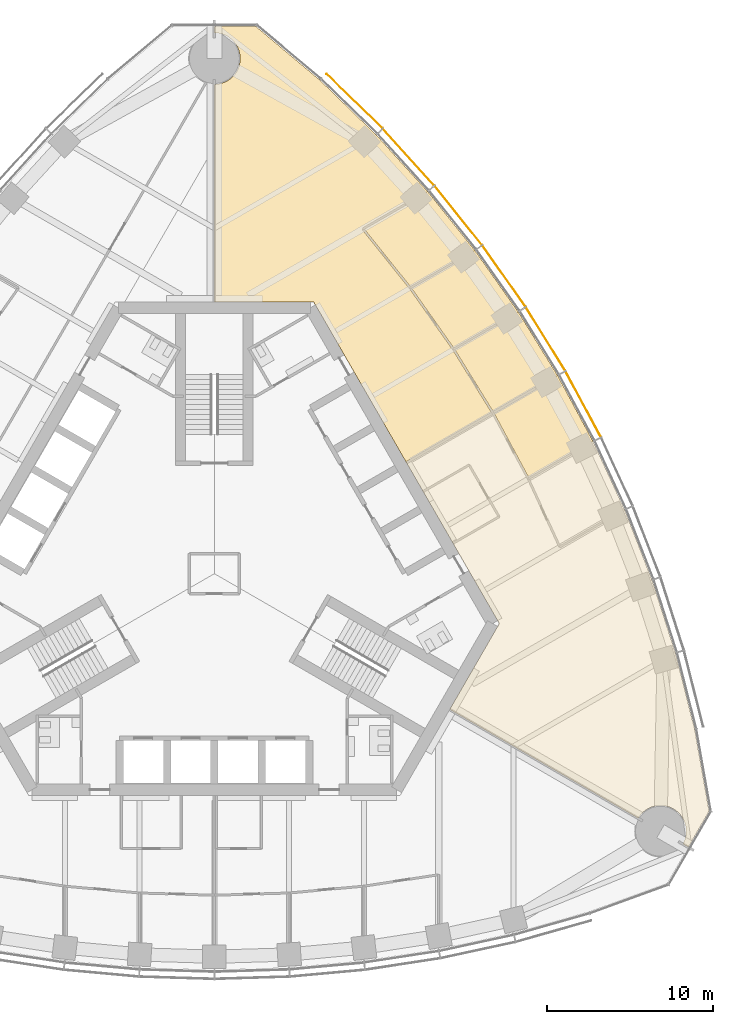
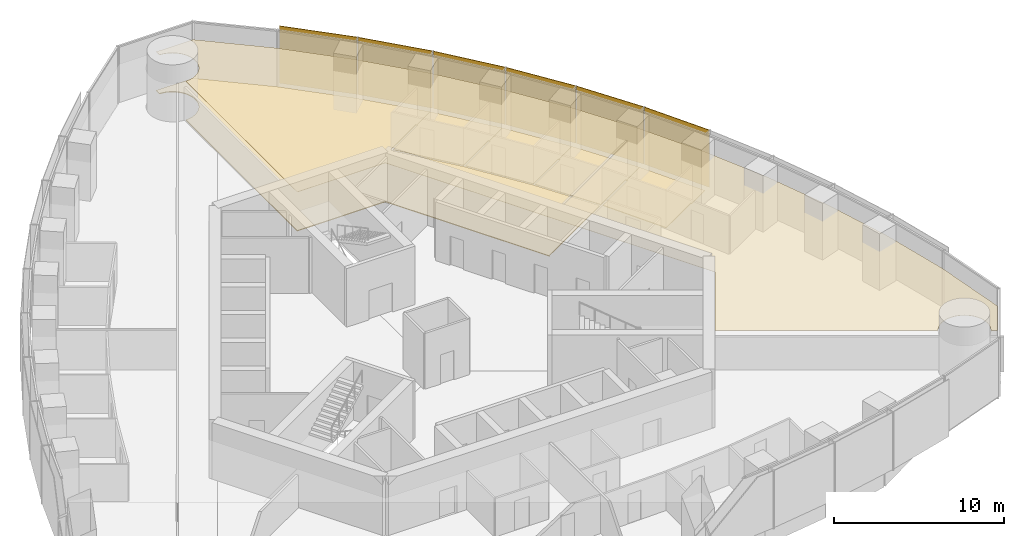
# One storey, part 14 of 16: 6 coverings, 6 shading devices.
"""IFC4 building model written with IfcOpenShell, lengths in metres."""

from ifc_helpers import new_model, si_unit, direction, frame, origin, origin_2d, place, context, subcontext, project, spatial, polyline, rectangle, outline, extrude, material, layer, layer_set, type_object, element, save


model = new_model("IFC4")

# Units and contexts
model_context = context("Model", 3, precision=1e-05, world=origin(), true_north=direction((0.0, 1.0)))
body_context = subcontext(model_context, "Body", "Model", "MODEL_VIEW")
ifc_project = project(units=[si_unit("LENGTHUNIT", "METRE"), si_unit("AREAUNIT", "SQUARE_METRE"), si_unit("VOLUMEUNIT", "CUBIC_METRE"), si_unit("PLANEANGLEUNIT", "RADIAN"), si_unit("MASSUNIT", "GRAM", prefix="KILO")], contexts=[model_context])

# Site, building, storey
site_placement = place(None, origin())
site = spatial("IfcSite", under=ifc_project, at=site_placement, CompositionType="ELEMENT")
building_placement = place(site_placement, origin())
building = spatial("IfcBuilding", under=site, at=building_placement, Name="Trefoil Bronze Tower", CompositionType="ELEMENT")
storey_placement = place(building_placement, frame((0.0, 0.0, 284.699951171875)))
storey = spatial("IfcBuildingStorey", under=building, at=storey_placement, Name="L65", CompositionType="ELEMENT", Elevation=284.699951171875)

# Shading devices
ifc_material_1 = material(Name="Perforated bronze sheet", Category="bronze")
ifc_layer_1 = layer(ifc_material_1, 0.0400390625)
ifc_layer_set_1 = layer_set([ifc_layer_1], Name="Bronze solar screen panel")
shading_device_type = type_object("IfcShadingDeviceType", Name="Bronze solar screen panel", PredefinedType="SHUTTER", material=ifc_layer_set_1)
for number, where, z_axis, x_axis, name in (
    (1, (22.19775390625, 10.198974609375, 0.050048828125), (0.0, 0.0, 1.0), (-0.473562437085, 0.880760250115, 0.0), "Solar screen CW-A L65 F2 bay 5"),
    (2, (19.931396484375, 14.124267578125, 0.050048828125), (0.0, 0.0, 1.0), (-0.525979532701, 0.850497225851, 0.0), "Solar screen CW-A L65 F2 bay 6"),
):
    element("IfcShadingDevice", number, at=place(storey_placement, frame(where, z_axis=z_axis, x_axis=x_axis)), inside=storey, type_object=shading_device_type, Name=name, PredefinedType="SHUTTER", context=body_context, shape_type="SweptSolid", body=[
        extrude(rectangle(XDim=4.47216796875, YDim=0.0400390625, at=origin_2d()), origin(), (0.0, 0.0, 1.0), 4.10009765625),
    ])
shading_device_1_placement = place(storey_placement, frame((17.4267578125, 17.912109375, 0.050048828125), z_axis=(0.0, 0.0, 1.0), x_axis=(-0.576560967783, 0.817054129437, 0.0)))
element("IfcShadingDevice", 3, at=shading_device_1_placement, inside=storey, type_object=shading_device_type, Name="Solar screen CW-A L65 F2 bay 7", PredefinedType="SHUTTER", context=body_context, shape_type="SweptSolid", body=[
    extrude(rectangle(XDim=4.48876953125, YDim=0.0400390625, at=origin_2d()), origin(), (0.0, 0.0, 1.0), 4.10009765625),
])
shading_device_2_placement = place(storey_placement, frame((14.680908203125, 21.560791015625, 0.050048828125), z_axis=(0.0, 0.0, 1.0), x_axis=(-0.625286758829, 0.780395072533, 0.0)))
element("IfcShadingDevice", 4, at=shading_device_2_placement, inside=storey, type_object=shading_device_type, Name="Solar screen CW-A L65 F2 bay 8", PredefinedType="SHUTTER", context=body_context, shape_type="SweptSolid", body=[
    extrude(rectangle(XDim=4.5224609375, YDim=0.0400390625, at=origin_2d()), origin(), (0.0, 0.0, 1.0), 4.10009765625),
])
shading_device_3_placement = place(storey_placement, frame((11.688720703125, 25.067138671875, 0.050048828125), z_axis=(0.0, 0.0, 1.0), x_axis=(-0.672115274615, 0.74044652584, 0.0)))
element("IfcShadingDevice", 5, at=shading_device_3_placement, inside=storey, type_object=shading_device_type, Name="Solar screen CW-A L65 F2 bay 9", PredefinedType="SHUTTER", context=body_context, shape_type="SweptSolid", body=[
    extrude(rectangle(XDim=4.574462890625, YDim=0.0400390625, at=origin_2d()), origin(), (0.0, 0.0, 1.0), 4.10009765625),
])
shading_device_4_placement = place(storey_placement, frame((8.42236328125, 28.443359375, 0.050048828125), z_axis=(0.0, 0.0, 1.0), x_axis=(-0.71721818561, 0.696848673839, 0.0)))
element("IfcShadingDevice", 6, at=shading_device_4_placement, inside=storey, type_object=shading_device_type, Name="Solar screen CW-A L65 F2 bay 10", PredefinedType="SHUTTER", context=body_context, shape_type="SweptSolid", body=[
    extrude(rectangle(XDim=4.697509765625, YDim=0.0400390625, at=origin_2d()), origin(), (0.0, 0.0, 1.0), 4.10009765625),
])

# Coverings
ifc_material_2 = material(Name="Acoustic ceiling panels", Category="mineral fibre")
ifc_layer_2 = layer(ifc_material_2, 0.02001953125)
ifc_layer_set_2 = layer_set([ifc_layer_2], Name="Office ceiling 20")
covering_type_1 = type_object("IfcCoveringType", Name="Office ceiling 20", PredefinedType="CEILING", material=ifc_layer_set_2)
covering_1_placement = place(storey_placement, frame((0.0, 0.0, 2.900146484375)))
element("IfcCovering", 7, at=covering_1_placement, inside=storey, type_object=covering_type_1, Name="Ceiling L65 Open support area F2", PredefinedType="CEILING", context=body_context, shape_type="SweptSolid", body=[
    extrude(outline(polyline([(9.741455078125, 26.408935546875), (12.836181640625, 22.99951171875), (15.682861328125, 19.44677734375), (18.2880859375, 15.7548828125), (20.656005859375, 11.92578125), (22.7880859375, 7.960693359375), (24.682861328125, 3.8583984375), (26.336181640625, -0.38330078125), (27.741455078125, -4.76806640625), (28.899169921875, -9.3515625), (29.770263671875, -14.291748046875), (28.522216796875, -16.453125), (28.19482421875, -16.26416015625), (28.2138671875, -16.230712890625), (28.248046875, -16.16259765625), (28.27880859375, -16.09326171875), (28.30615234375, -16.022216796875), (28.330078125, -15.949951171875), (28.350341796875, -15.876708984375), (28.366943359375, -15.802490234375), (28.3798828125, -15.727294921875), (28.389404296875, -15.65185546875), (28.39501953125, -15.576171875), (28.396728515625, -15.5), (28.39501953125, -15.423828125), (28.389404296875, -15.34814453125), (28.3798828125, -15.272705078125), (28.366943359375, -15.197509765625), (28.350341796875, -15.123291015625), (28.330078125, -15.050048828125), (28.30615234375, -14.977783203125), (28.27880859375, -14.90673828125), (28.248046875, -14.83740234375), (28.2138671875, -14.769287109375), (28.17626953125, -14.703125), (28.135498046875, -14.638916015625), (28.091796875, -14.57666015625), (28.044921875, -14.5166015625), (27.995361328125, -14.458984375), (27.94287109375, -14.404052734375), (27.8876953125, -14.3515625), (27.830078125, -14.3017578125), (27.77001953125, -14.2548828125), (27.7080078125, -14.211181640625), (27.6435546875, -14.17041015625), (27.577392578125, -14.133056640625), (27.509521484375, -14.098876953125), (27.43994140625, -14.068115234375), (27.368896484375, -14.04052734375), (27.296630859375, -14.0166015625), (27.223388671875, -13.99658203125), (27.149169921875, -13.979736328125), (27.07421875, -13.966796875), (26.998779296875, -13.95751953125), (26.9228515625, -13.951904296875), (26.8466796875, -13.949951171875), (26.770751953125, -13.951904296875), (26.69482421875, -13.95751953125), (26.619384765625, -13.966796875), (26.54443359375, -13.979736328125), (26.47021484375, -13.99658203125), (26.396728515625, -14.0166015625), (26.32470703125, -14.04052734375), (26.253662109375, -14.068115234375), (26.18408203125, -14.098876953125), (26.1162109375, -14.133056640625), (26.0498046875, -14.17041015625), (25.985595703125, -14.211181640625), (25.923583984375, -14.2548828125), (25.863525390625, -14.3017578125), (25.805908203125, -14.3515625), (25.750732421875, -14.404052734375), (25.6982421875, -14.458984375), (25.648681640625, -14.5166015625), (25.601806640625, -14.57666015625), (25.55810546875, -14.638916015625), (25.51025390625, -14.715576171875), (14.16259765625, -8.169677734375), (17.147216796875, -3.0), (5.9755859375, 16.35009765625), (0.006103515625, 16.35009765625), (0.010986328125, 29.4501953125), (0.076171875, 29.451904296875), (0.15185546875, 29.45751953125), (0.227294921875, 29.466796875), (0.302490234375, 29.479736328125), (0.376708984375, 29.49658203125), (0.449951171875, 29.5166015625), (0.522216796875, 29.54052734375), (0.59326171875, 29.568115234375), (0.66259765625, 29.598876953125), (0.730712890625, 29.633056640625), (0.796875, 29.67041015625), (0.861083984375, 29.711181640625), (0.92333984375, 29.7548828125), (0.9833984375, 29.8017578125), (1.041015625, 29.8515625), (1.095947265625, 29.904052734375), (1.1484375, 29.958984375), (1.1982421875, 30.0166015625), (1.2451171875, 30.07666015625), (1.288818359375, 30.138916015625), (1.32958984375, 30.203125), (1.366943359375, 30.269287109375), (1.401123046875, 30.33740234375), (1.431884765625, 30.40673828125), (1.45947265625, 30.477783203125), (1.4833984375, 30.550048828125), (1.50341796875, 30.623291015625), (1.520263671875, 30.697509765625), (1.533203125, 30.772705078125), (1.54248046875, 30.84814453125), (1.548095703125, 30.923828125), (1.550048828125, 31.0), (1.548095703125, 31.076171875), (1.54248046875, 31.15185546875), (1.533203125, 31.227294921875), (1.520263671875, 31.302490234375), (1.50341796875, 31.376708984375), (1.4833984375, 31.449951171875), (1.45947265625, 31.522216796875), (1.431884765625, 31.59326171875), (1.401123046875, 31.66259765625), (1.366943359375, 31.730712890625), (1.32958984375, 31.796875), (1.288818359375, 31.861083984375), (1.2451171875, 31.92333984375), (1.1982421875, 31.9833984375), (1.1484375, 32.041015625), (1.095947265625, 32.095947265625), (1.041015625, 32.1484375), (0.9833984375, 32.1982421875), (0.92333984375, 32.2451171875), (0.861083984375, 32.288818359375), (0.796875, 32.32958984375), (0.730712890625, 32.366943359375), (0.66259765625, 32.401123046875), (0.59326171875, 32.431884765625), (0.522216796875, 32.45947265625), (0.449951171875, 32.4833984375), (0.376708984375, 32.50341796875), (0.302490234375, 32.520263671875), (0.227294921875, 32.533203125), (0.15185546875, 32.54248046875), (0.076171875, 32.548095703125), (0.01220703125, 32.5498046875), (0.01220703125, 32.927490234375), (2.508056640625, 32.927490234375), (6.350830078125, 29.703125), (9.741455078125, 26.408935546875)])), origin(), (0.0, 0.0, 1.0), 0.02001953125),
])
ifc_material_3 = material(Name="Raised access floor panels", Category="steel")
ifc_layer_3 = layer(ifc_material_3, 0.050048828125)
ifc_layer_set_3 = layer_set([ifc_layer_3], Name="Raised access floor 150")
covering_type_2 = type_object("IfcCoveringType", Name="Raised access floor 150", PredefinedType="FLOORING", material=ifc_layer_set_3)
covering_2_placement = place(storey_placement, frame((0.0, 0.0, 0.10009765625)))
element("IfcCovering", 8, at=covering_2_placement, inside=storey, type_object=covering_type_2, Name="Raised floor L65 Office F2", PredefinedType="FLOORING", context=body_context, shape_type="SweptSolid", body=[
    extrude(outline(polyline([(15.682861328125, 19.44677734375), (14.347900390625, 18.676025390625), (14.318115234375, 18.72802734375), (11.80029296875, 17.2744140625), (9.02978515625, 20.732421875), (11.51904296875, 22.169677734375), (11.489013671875, 22.2216796875), (12.836181640625, 22.99951171875), (15.682861328125, 19.44677734375)])), origin(), (0.0, 0.0, 1.0), 0.050048828125),
])
covering_3_placement = place(storey_placement, frame((0.0, 0.0, 0.10009765625)))
element("IfcCovering", 9, at=covering_3_placement, inside=storey, type_object=covering_type_2, Name="Raised floor L65 Office F2", PredefinedType="FLOORING", context=body_context, shape_type="SweptSolid", body=[
    extrude(outline(polyline([(18.2880859375, 15.7548828125), (16.960693359375, 14.98828125), (16.9306640625, 15.040283203125), (14.408447265625, 13.583984375), (11.87255859375, 17.177734375), (14.3779296875, 18.624267578125), (14.347900390625, 18.676025390625), (15.682861328125, 19.44677734375), (18.2880859375, 15.7548828125)])), origin(), (0.0, 0.0, 1.0), 0.050048828125),
])
covering_4_placement = place(storey_placement, frame((0.0, 0.0, 0.10009765625)))
element("IfcCovering", 10, at=covering_4_placement, inside=storey, type_object=covering_type_2, Name="Raised floor L65 Office F2", PredefinedType="FLOORING", context=body_context, shape_type="SweptSolid", body=[
    extrude(outline(polyline([(18.2880859375, 15.7548828125), (20.656005859375, 11.92578125), (19.3310546875, 11.160888671875), (19.293701171875, 11.225830078125), (16.771484375, 9.76953125), (14.474609375, 13.48388671875), (16.99072265625, 14.936279296875), (16.960693359375, 14.98828125), (18.2880859375, 15.7548828125)])), origin(), (0.0, 0.0, 1.0), 0.050048828125),
])
covering_5_placement = place(storey_placement, frame((0.0, 0.0, 0.10009765625)))
element("IfcCovering", 11, at=covering_5_placement, inside=storey, type_object=covering_type_2, Name="Raised floor L65 Office F2", PredefinedType="FLOORING", context=body_context, shape_type="SweptSolid", body=[
    extrude(outline(polyline([(22.7880859375, 7.960693359375), (21.460693359375, 7.194091796875), (21.4306640625, 7.24609375), (18.91455078125, 5.79345703125), (16.846435546875, 9.6396484375), (19.36865234375, 11.095703125), (19.3310546875, 11.160888671875), (20.656005859375, 11.92578125), (22.7880859375, 7.960693359375)])), origin(), (0.0, 0.0, 1.0), 0.050048828125),
])
covering_6_placement = place(storey_placement, frame((0.0, 0.0, 0.10009765625)))
element("IfcCovering", 12, at=covering_6_placement, inside=storey, type_object=covering_type_2, Name="Raised floor L65 Open support area F2", PredefinedType="FLOORING", context=body_context, shape_type="SweptSolid", body=[
    extrude(outline(polyline([(2.508056640625, 32.927490234375), (6.350830078125, 29.703125), (9.741455078125, 26.408935546875), (12.836181640625, 22.99951171875), (11.489013671875, 22.2216796875), (11.458984375, 22.273681640625), (8.9091796875, 20.801513671875), (8.939208984375, 20.74951171875), (8.892333984375, 20.7119140625), (11.73779296875, 17.16064453125), (14.3408203125, 13.4716796875), (16.66748046875, 9.709716796875), (11.53271484375, 6.7451171875), (11.569580078125, 6.680908203125), (11.560791015625, 6.67578125), (5.9755859375, 16.35009765625), (0.006103515625, 16.35009765625), (0.010986328125, 29.4501953125), (0.076171875, 29.451904296875), (0.15185546875, 29.45751953125), (0.227294921875, 29.466796875), (0.302490234375, 29.479736328125), (0.376708984375, 29.49658203125), (0.449951171875, 29.5166015625), (0.522216796875, 29.54052734375), (0.59326171875, 29.568115234375), (0.66259765625, 29.598876953125), (0.730712890625, 29.633056640625), (0.796875, 29.67041015625), (0.861083984375, 29.711181640625), (0.92333984375, 29.7548828125), (0.9833984375, 29.8017578125), (1.041015625, 29.8515625), (1.095947265625, 29.904052734375), (1.1484375, 29.958984375), (1.1982421875, 30.0166015625), (1.2451171875, 30.07666015625), (1.288818359375, 30.138916015625), (1.32958984375, 30.203125), (1.366943359375, 30.269287109375), (1.401123046875, 30.33740234375), (1.431884765625, 30.40673828125), (1.45947265625, 30.477783203125), (1.4833984375, 30.550048828125), (1.50341796875, 30.623291015625), (1.520263671875, 30.697509765625), (1.533203125, 30.772705078125), (1.54248046875, 30.84814453125), (1.548095703125, 30.923828125), (1.550048828125, 31.0), (1.548095703125, 31.076171875), (1.54248046875, 31.15185546875), (1.533203125, 31.227294921875), (1.520263671875, 31.302490234375), (1.50341796875, 31.376708984375), (1.4833984375, 31.449951171875), (1.45947265625, 31.522216796875), (1.431884765625, 31.59326171875), (1.401123046875, 31.66259765625), (1.366943359375, 31.730712890625), (1.32958984375, 31.796875), (1.288818359375, 31.861083984375), (1.2451171875, 31.92333984375), (1.1982421875, 31.9833984375), (1.1484375, 32.041015625), (1.095947265625, 32.095947265625), (1.041015625, 32.1484375), (0.9833984375, 32.1982421875), (0.92333984375, 32.2451171875), (0.861083984375, 32.288818359375), (0.796875, 32.32958984375), (0.730712890625, 32.366943359375), (0.66259765625, 32.401123046875), (0.59326171875, 32.431884765625), (0.522216796875, 32.45947265625), (0.449951171875, 32.4833984375), (0.376708984375, 32.50341796875), (0.302490234375, 32.520263671875), (0.227294921875, 32.533203125), (0.15185546875, 32.54248046875), (0.076171875, 32.548095703125), (0.01220703125, 32.5498046875), (0.01220703125, 32.927490234375), (2.508056640625, 32.927490234375)])), origin(), (0.0, 0.0, 1.0), 0.050048828125),
])

save(model, "model.ifc")
